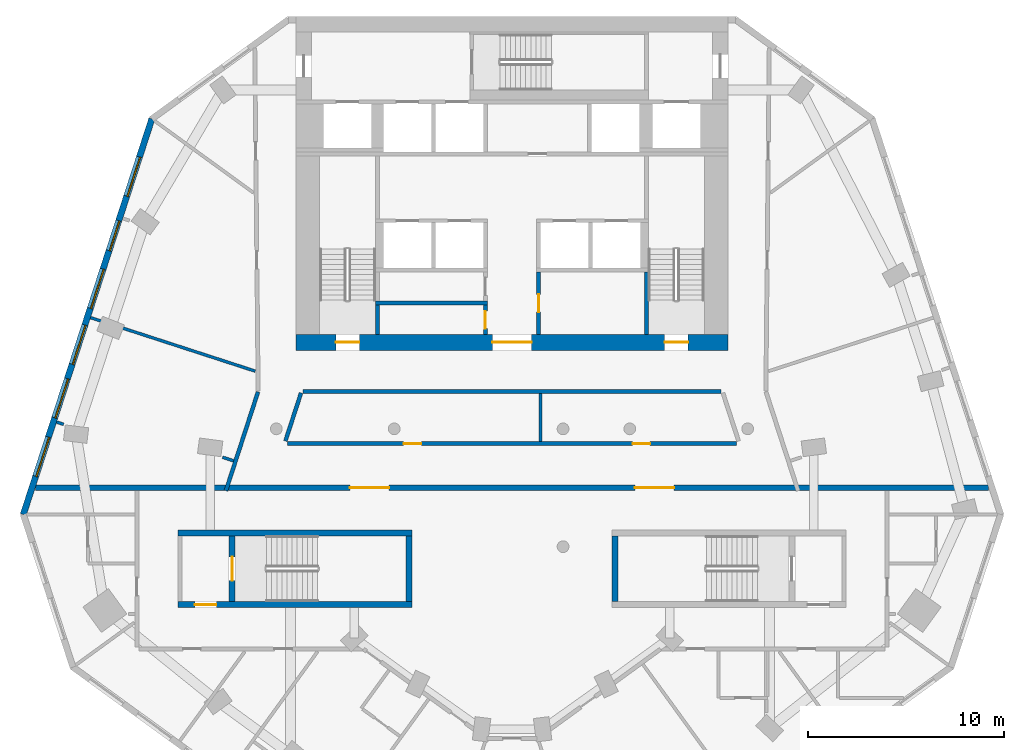
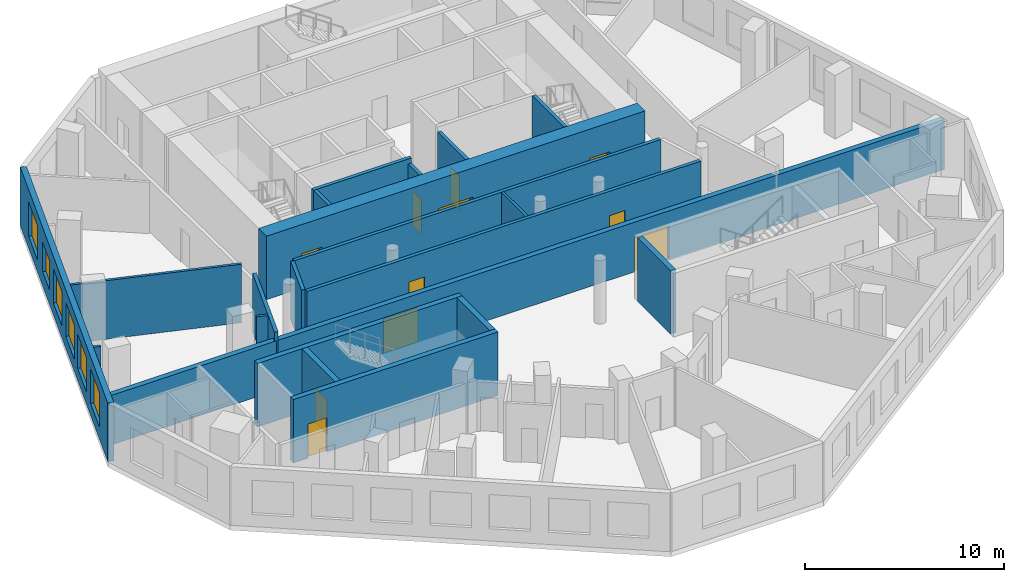
# One storey, part 3 of 9: 21 walls, 11 doors, 6 windows, 17 openings.
"""IFC4 building model written with IfcOpenShell, lengths in metres."""

from ifc_helpers import new_model, si_unit, direction, frame, frame_2d, origin, place, context, subcontext, project, spatial, rectangle, extrude, material, layer, layer_set, type_object, element, fill, save


model = new_model("IFC4")

# Units and contexts
model_context = context("Model", 3, precision=1e-05, world=origin(), true_north=direction((0.0, 1.0)))
body_context = subcontext(model_context, "Body", "Model", "MODEL_VIEW")
ifc_project = project(units=[si_unit("LENGTHUNIT", "METRE"), si_unit("AREAUNIT", "SQUARE_METRE"), si_unit("VOLUMEUNIT", "CUBIC_METRE"), si_unit("PLANEANGLEUNIT", "RADIAN"), si_unit("MASSUNIT", "GRAM", prefix="KILO")], contexts=[model_context])

# Site, building, storey
site_placement = place(None, origin())
site = spatial("IfcSite", under=ifc_project, at=site_placement, CompositionType="ELEMENT")
building_placement = place(site_placement, origin())
building = spatial("IfcBuilding", under=site, at=building_placement, Name="White Candle Pilgrim Tower", CompositionType="ELEMENT")
storey_placement = place(building_placement, frame((0.0, 0.0, 204.300048828125)))
storey = spatial("IfcBuildingStorey", under=building, at=storey_placement, Name="L47", CompositionType="ELEMENT", Elevation=204.300048828125)

# Wall
ifc_material_1 = material(Name="Gypsum board on steel studs", Category="steel")
ifc_layer_1 = layer(ifc_material_1, 0.199951171875)
ifc_layer_set_1 = layer_set([ifc_layer_1], Name="Corridor wall 200 mm EI 45")
wall_type_1 = type_object("IfcWallType", Name="Corridor wall 200 mm EI 45", PredefinedType="PARTITIONING", material=ifc_layer_set_1)
wall_1_placement = place(storey_placement, frame((55.43115234375, 63.85009765625, 0.0), z_axis=(0.0, 0.0, 1.0), x_axis=(0.309009941901, 0.951058807754, 0.0)))
element("IfcWall", 1, at=wall_1_placement, inside=storey, type_object=wall_type_1, Name="WL-L47-P002", PredefinedType="PARTITIONING", context=body_context, shape_type="SweptSolid", body=[
    extrude(rectangle(XDim=5.29345703125, YDim=0.199951171875, at=frame_2d((2.646728515625, 0.0))), origin(), (0.0, 0.0, 1.0), 3.599853515625),
])

# Wall, openings, doors
wall_2_placement = place(storey_placement, frame((58.556640625, 66.25, 0.0), z_axis=(0.0, 0.0, 1.0), x_axis=(1.0, 0.0, 0.0)))
wall_2 = element("IfcWall", 2, at=wall_2_placement, inside=storey, type_object=wall_type_1, Name="WL-L47-P013", PredefinedType="PARTITIONING", context=body_context, shape_type="SweptSolid", body=[
    extrude(rectangle(XDim=22.88671875, YDim=0.199951171875, at=frame_2d((11.443359375, 0.0))), origin(), (0.0, 0.0, 1.0), 3.599853515625),
])
opening_1_placement = place(wall_2_placement, frame((5.927001953125, 0.0, 0.0)))
opening_1 = element("IfcOpeningElement", 3, at=opening_1_placement, cuts=wall_2, Name="Opening T14-117", PredefinedType="OPENING", context=body_context, shape_type="SweptSolid", body=[
    extrude(rectangle(XDim=0.89990234375, YDim=2.10009765625, at=frame_2d((0.449951171875, 1.050048828125))), frame((0.0, 0.10986328125, 0.0), z_axis=(0.0, -1.0, 0.0), x_axis=(1.0, 0.0, 0.0)), (0.0, 0.0, 1.0), 0.219970703125),
])
opening_2_placement = place(wall_2_placement, frame((17.5830078125, 0.0, 0.0)))
opening_2 = element("IfcOpeningElement", 4, at=opening_2_placement, cuts=wall_2, Name="Opening T14-118", PredefinedType="OPENING", context=body_context, shape_type="SweptSolid", body=[
    extrude(rectangle(XDim=0.89990234375, YDim=2.10009765625, at=frame_2d((0.449951171875, 1.050048828125))), frame((0.0, 0.10986328125, 0.0), z_axis=(0.0, -1.0, 0.0), x_axis=(1.0, 0.0, 0.0)), (0.0, 0.0, 1.0), 0.219970703125),
])
ifc_material_2 = material(Name="Steel door leaf", Category="steel")
door_type_1 = type_object("IfcDoorType", Name="Fire door 900 x 2100 EI 30", OperationType="NOTDEFINED", PredefinedType="DOOR", material=ifc_material_2)
door_1_placement = place(opening_1_placement, origin())
door_1 = element("IfcDoor", 5, at=door_1_placement, inside=storey, type_object=door_type_1, Name="Door T14-117", OperationType="SINGLE_SWING_LEFT", OverallHeight=2.10009765625, OverallWidth=0.89990234375, PredefinedType="DOOR", context=body_context, shape_type="SweptSolid", body=[
    extrude(rectangle(XDim=0.89990234375, YDim=2.10009765625, at=frame_2d((0.449951171875, 1.050048828125))), frame((0.0, 0.02490234375, 0.0), z_axis=(0.0, -1.0, 0.0), x_axis=(1.0, 0.0, 0.0)), (0.0, 0.0, 1.0), 0.050048828125),
])
fill(opening_1, door_1)
door_2_placement = place(opening_2_placement, origin())
door_2 = element("IfcDoor", 6, at=door_2_placement, inside=storey, type_object=door_type_1, Name="Door T14-118", OperationType="SINGLE_SWING_RIGHT", OverallHeight=2.10009765625, OverallWidth=0.89990234375, PredefinedType="DOOR", context=body_context, shape_type="SweptSolid", body=[
    extrude(rectangle(XDim=0.89990234375, YDim=2.10009765625, at=frame_2d((0.449951171875, 1.050048828125))), frame((0.0, 0.02490234375, 0.0), z_axis=(0.0, -1.0, 0.0), x_axis=(1.0, 0.0, 0.0)), (0.0, 0.0, 1.0), 0.050048828125),
])
fill(opening_2, door_2)

# Walls
wall_3_placement = place(storey_placement, frame((80.647216796875, 68.89990234375, 0.0), z_axis=(0.0, 0.0, 1.0), x_axis=(-1.0, 0.0, 0.0)))
element("IfcWall", 7, at=wall_3_placement, inside=storey, type_object=wall_type_1, Name="WL-L47-P015", PredefinedType="PARTITIONING", context=body_context, shape_type="SweptSolid", body=[
    extrude(rectangle(XDim=21.29443359375, YDim=0.199951171875, at=frame_2d((10.647216796875, 0.0))), origin(), (0.0, 0.0, 1.0), 3.599853515625),
])
wall_4_placement = place(storey_placement, frame((59.2578125, 68.830810546875, 0.0), z_axis=(0.0, 0.0, 1.0), x_axis=(-0.309053927645, -0.951044515155, 0.0)))
element("IfcWall", 8, at=wall_4_placement, inside=storey, type_object=wall_type_1, Name="WL-L47-P016", PredefinedType="PARTITIONING", context=body_context, shape_type="SweptSolid", body=[
    extrude(rectangle(XDim=2.576171875, YDim=0.199951171875, at=frame_2d((1.2880859375, 0.0))), origin(), (0.0, 0.0, 1.0), 3.599853515625),
])

# Wall, openings, windows
ifc_material_3 = material(Name="Precast concrete C40/50", Category="concrete")
ifc_layer_2 = layer(ifc_material_3, 0.320068359375)
ifc_layer_set_2 = layer_set([ifc_layer_2], Name="Facade wall EW1 precast concrete C40/50 pier wall with timber-lined reveals")
wall_type_2 = type_object("IfcWallType", Name="Facade wall EW1 precast concrete C40/50 pier wall with timber-lined reveals", PredefinedType="SOLIDWALL", material=ifc_layer_set_2)
wall_5_placement = place(storey_placement, frame((51.657958984375, 82.785400390625, 0.0), z_axis=(0.0, 0.0, 1.0), x_axis=(-0.309019087741, -0.951055836117, 0.0)))
wall_5 = element("IfcWall", 9, at=wall_5_placement, inside=storey, type_object=wall_type_2, Name="Facade wall L47 WNW", PredefinedType="SOLIDWALL", context=body_context, shape_type="SweptSolid", body=[
    extrude(rectangle(XDim=21.180419921875, YDim=0.320068359375, at=frame_2d((10.59033203125, 0.0))), origin(), (0.0, 0.0, 1.0), 3.599853515625),
])
opening_3_placement = place(wall_5_placement, frame((2.040283203125, 0.0, 0.75)))
opening_3 = element("IfcOpeningElement", 10, at=opening_3_placement, cuts=wall_5, Name="Opening W3", PredefinedType="OPENING", context=body_context, shape_type="SweptSolid", body=[
    extrude(rectangle(XDim=2.10009765625, YDim=2.10009765625, at=frame_2d((1.050048828125, 1.050048828125))), frame((0.0, 0.169921875, 0.0), z_axis=(0.0, -1.0, 0.0), x_axis=(1.0, 0.0, 0.0)), (0.0, 0.0, 1.0), 0.340087890625),
])
opening_4_placement = place(wall_5_placement, frame((5.452880859375, 0.0, 0.89990234375)))
opening_4 = element("IfcOpeningElement", 11, at=opening_4_placement, cuts=wall_5, Name="Opening W2", PredefinedType="OPENING", context=body_context, shape_type="SweptSolid", body=[
    extrude(rectangle(XDim=1.60009765625, YDim=1.800048828125, at=frame_2d((0.800048828125, 0.89990234375))), frame((0.0, 0.169921875, 0.0), z_axis=(0.0, -1.0, 0.0), x_axis=(1.0, 0.0, 0.0)), (0.0, 0.0, 1.0), 0.340087890625),
])
opening_5_placement = place(wall_5_placement, frame((8.040283203125, 0.0, 0.75)))
opening_5 = element("IfcOpeningElement", 12, at=opening_5_placement, cuts=wall_5, Name="Opening W3", PredefinedType="OPENING", context=body_context, shape_type="SweptSolid", body=[
    extrude(rectangle(XDim=2.10009765625, YDim=2.10009765625, at=frame_2d((1.050048828125, 1.050048828125))), frame((0.0, 0.169921875, 0.0), z_axis=(0.0, -1.0, 0.0), x_axis=(1.0, 0.0, 0.0)), (0.0, 0.0, 1.0), 0.340087890625),
])
opening_6_placement = place(wall_5_placement, frame((11.040283203125, 0.0, 0.75)))
opening_6 = element("IfcOpeningElement", 13, at=opening_6_placement, cuts=wall_5, Name="Opening W3", PredefinedType="OPENING", context=body_context, shape_type="SweptSolid", body=[
    extrude(rectangle(XDim=2.10009765625, YDim=2.10009765625, at=frame_2d((1.050048828125, 1.050048828125))), frame((0.0, 0.169921875, 0.0), z_axis=(0.0, -1.0, 0.0), x_axis=(1.0, 0.0, 0.0)), (0.0, 0.0, 1.0), 0.340087890625),
])
opening_7_placement = place(wall_5_placement, frame((13.908203125, 0.0, 0.75)))
opening_7 = element("IfcOpeningElement", 14, at=opening_7_placement, cuts=wall_5, Name="Opening W3", PredefinedType="OPENING", context=body_context, shape_type="SweptSolid", body=[
    extrude(rectangle(XDim=2.10009765625, YDim=2.10009765625, at=frame_2d((1.050048828125, 1.050048828125))), frame((0.0, 0.169921875, 0.0), z_axis=(0.0, -1.0, 0.0), x_axis=(1.0, 0.0, 0.0)), (0.0, 0.0, 1.0), 0.340087890625),
])
opening_8_placement = place(wall_5_placement, frame((17.040283203125, 0.0, 0.75)))
opening_8 = element("IfcOpeningElement", 15, at=opening_8_placement, cuts=wall_5, Name="Opening W3", PredefinedType="OPENING", context=body_context, shape_type="SweptSolid", body=[
    extrude(rectangle(XDim=2.10009765625, YDim=2.10009765625, at=frame_2d((1.050048828125, 1.050048828125))), frame((0.0, 0.169921875, 0.0), z_axis=(0.0, -1.0, 0.0), x_axis=(1.0, 0.0, 0.0)), (0.0, 0.0, 1.0), 0.340087890625),
])
ifc_material_4 = material(Name="Timber frame with triple glazing", Category="wood")
window_type_1 = type_object("IfcWindowType", Name="Window W2 1600x1800 timber frame triple glazing", PartitioningType="SINGLE_PANEL", PredefinedType="WINDOW", material=ifc_material_4)
window_1_placement = place(opening_4_placement, origin())
window_1 = element("IfcWindow", 16, at=window_1_placement, inside=storey, type_object=window_type_1, Name="Window W2 L47 WNW 2", OverallHeight=1.800048828125, OverallWidth=1.60009765625, PartitioningType="SINGLE_PANEL", PredefinedType="WINDOW", context=body_context, shape_type="SweptSolid", body=[
    extrude(rectangle(XDim=1.60009765625, YDim=1.800048828125, at=frame_2d((0.800048828125, 0.89990234375))), frame((0.0, 0.070068359375, 0.0), z_axis=(0.0, -1.0, 0.0), x_axis=(1.0, 0.0, 0.0)), (0.0, 0.0, 1.0), 0.06005859375),
])
fill(opening_4, window_1)
window_type_2 = type_object("IfcWindowType", Name="Window W3 2100x2100 timber frame triple glazing", PartitioningType="SINGLE_PANEL", PredefinedType="WINDOW", material=ifc_material_4)
window_2_placement = place(opening_3_placement, origin())
window_2 = element("IfcWindow", 17, at=window_2_placement, inside=storey, type_object=window_type_2, Name="Window W3 L47 WNW 1", OverallHeight=2.10009765625, OverallWidth=2.10009765625, PartitioningType="SINGLE_PANEL", PredefinedType="WINDOW", context=body_context, shape_type="SweptSolid", body=[
    extrude(rectangle(XDim=2.10009765625, YDim=2.10009765625, at=frame_2d((1.050048828125, 1.050048828125))), frame((0.0, 0.070068359375, 0.0), z_axis=(0.0, -1.0, 0.0), x_axis=(1.0, 0.0, 0.0)), (0.0, 0.0, 1.0), 0.06005859375),
])
fill(opening_3, window_2)
window_3_placement = place(opening_5_placement, origin())
window_3 = element("IfcWindow", 18, at=window_3_placement, inside=storey, type_object=window_type_2, Name="Window W3 L47 WNW 3", OverallHeight=2.10009765625, OverallWidth=2.10009765625, PartitioningType="SINGLE_PANEL", PredefinedType="WINDOW", context=body_context, shape_type="SweptSolid", body=[
    extrude(rectangle(XDim=2.10009765625, YDim=2.10009765625, at=frame_2d((1.050048828125, 1.050048828125))), frame((0.0, 0.070068359375, 0.0), z_axis=(0.0, -1.0, 0.0), x_axis=(1.0, 0.0, 0.0)), (0.0, 0.0, 1.0), 0.06005859375),
])
fill(opening_5, window_3)
window_4_placement = place(opening_6_placement, origin())
window_4 = element("IfcWindow", 19, at=window_4_placement, inside=storey, type_object=window_type_2, Name="Window W3 L47 WNW 4", OverallHeight=2.10009765625, OverallWidth=2.10009765625, PartitioningType="SINGLE_PANEL", PredefinedType="WINDOW", context=body_context, shape_type="SweptSolid", body=[
    extrude(rectangle(XDim=2.10009765625, YDim=2.10009765625, at=frame_2d((1.050048828125, 1.050048828125))), frame((0.0, 0.070068359375, 0.0), z_axis=(0.0, -1.0, 0.0), x_axis=(1.0, 0.0, 0.0)), (0.0, 0.0, 1.0), 0.06005859375),
])
fill(opening_6, window_4)
window_5_placement = place(opening_7_placement, origin())
window_5 = element("IfcWindow", 20, at=window_5_placement, inside=storey, type_object=window_type_2, Name="Window W3 L47 WNW 5", OverallHeight=2.10009765625, OverallWidth=2.10009765625, PartitioningType="SINGLE_PANEL", PredefinedType="WINDOW", context=body_context, shape_type="SweptSolid", body=[
    extrude(rectangle(XDim=2.10009765625, YDim=2.10009765625, at=frame_2d((1.050048828125, 1.050048828125))), frame((0.0, 0.070068359375, 0.0), z_axis=(0.0, -1.0, 0.0), x_axis=(1.0, 0.0, 0.0)), (0.0, 0.0, 1.0), 0.06005859375),
])
fill(opening_7, window_5)
window_6_placement = place(opening_8_placement, origin())
window_6 = element("IfcWindow", 21, at=window_6_placement, inside=storey, type_object=window_type_2, Name="Window W3 L47 WNW 6", OverallHeight=2.10009765625, OverallWidth=2.10009765625, PartitioningType="SINGLE_PANEL", PredefinedType="WINDOW", context=body_context, shape_type="SweptSolid", body=[
    extrude(rectangle(XDim=2.10009765625, YDim=2.10009765625, at=frame_2d((1.050048828125, 1.050048828125))), frame((0.0, 0.070068359375, 0.0), z_axis=(0.0, -1.0, 0.0), x_axis=(1.0, 0.0, 0.0)), (0.0, 0.0, 1.0), 0.06005859375),
])
fill(opening_8, window_6)

# Wall, openings, doors
ifc_material_5 = material(Name="Aerated concrete block", Category="concrete")
ifc_layer_3 = layer(ifc_material_5, 0.300048828125)
ifc_layer_set_3 = layer_set([ifc_layer_3], Name="Fire wall 300 mm REI 240")
wall_type_3 = type_object("IfcWallType", Name="Fire wall 300 mm REI 240", PredefinedType="PARTITIONING", material=ifc_layer_set_3)
wall_6_placement = place(storey_placement, frame((45.722412109375, 64.0, 0.0), z_axis=(0.0, 0.0, 1.0), x_axis=(1.0, 0.0, 0.0)))
wall_6 = element("IfcWall", 22, at=wall_6_placement, inside=storey, type_object=wall_type_3, Name="WL-L47-P001", PredefinedType="PARTITIONING", context=body_context, shape_type="SweptSolid", body=[
    extrude(rectangle(XDim=48.55517578125, YDim=0.300048828125, at=frame_2d((24.277587890625, 0.0))), origin(), (0.0, 0.0, 1.0), 3.050048828125),
])
opening_9_placement = place(wall_6_placement, frame((16.017578125, 0.0, 0.0)))
opening_9 = element("IfcOpeningElement", 23, at=opening_9_placement, cuts=wall_6, Name="Opening T14-115", PredefinedType="OPENING", context=body_context, shape_type="SweptSolid", body=[
    extrude(rectangle(XDim=2.0, YDim=2.10009765625, at=frame_2d((1.0, 1.050048828125))), frame((0.0, 0.159912109375, 0.0), z_axis=(0.0, -1.0, 0.0), x_axis=(1.0, 0.0, 0.0)), (0.0, 0.0, 1.0), 0.320068359375),
])
opening_10_placement = place(wall_6_placement, frame((30.53759765625, 0.0, 0.0)))
opening_10 = element("IfcOpeningElement", 24, at=opening_10_placement, cuts=wall_6, Name="Opening T14-116", PredefinedType="OPENING", context=body_context, shape_type="SweptSolid", body=[
    extrude(rectangle(XDim=2.0, YDim=2.10009765625, at=frame_2d((1.0, 1.050048828125))), frame((0.0, 0.159912109375, 0.0), z_axis=(0.0, -1.0, 0.0), x_axis=(1.0, 0.0, 0.0)), (0.0, 0.0, 1.0), 0.320068359375),
])
door_type_2 = type_object("IfcDoorType", Name="Fire door 2000 x 2100 EI 60", OperationType="NOTDEFINED", PredefinedType="DOOR", material=ifc_material_2)
door_3_placement = place(opening_9_placement, origin())
door_3 = element("IfcDoor", 25, at=door_3_placement, inside=storey, type_object=door_type_2, Name="Door T14-115", OperationType="DOUBLE_DOOR_SINGLE_SWING", OverallHeight=2.10009765625, OverallWidth=2.0, PredefinedType="DOOR", context=body_context, shape_type="SweptSolid", body=[
    extrude(rectangle(XDim=2.0, YDim=2.10009765625, at=frame_2d((1.0, 1.050048828125))), frame((0.0, 0.02490234375, 0.0), z_axis=(0.0, -1.0, 0.0), x_axis=(1.0, 0.0, 0.0)), (0.0, 0.0, 1.0), 0.050048828125),
])
fill(opening_9, door_3)
door_4_placement = place(opening_10_placement, origin())
door_4 = element("IfcDoor", 26, at=door_4_placement, inside=storey, type_object=door_type_2, Name="Door T14-116", OperationType="DOUBLE_DOOR_SINGLE_SWING", OverallHeight=2.10009765625, OverallWidth=2.0, PredefinedType="DOOR", context=body_context, shape_type="SweptSolid", body=[
    extrude(rectangle(XDim=2.0, YDim=2.10009765625, at=frame_2d((1.0, 1.050048828125))), frame((0.0, 0.02490234375, 0.0), z_axis=(0.0, -1.0, 0.0), x_axis=(1.0, 0.0, 0.0)), (0.0, 0.0, 1.0), 0.050048828125),
])
fill(opening_10, door_4)

# Wall, opening, door
ifc_layer_4 = layer(ifc_material_1, 0.199951171875)
ifc_layer_set_4 = layer_set([ifc_layer_4], Name="Lobby wall 200 mm EI 60")
wall_type_4 = type_object("IfcWallType", Name="Lobby wall 200 mm EI 60", PredefinedType="PARTITIONING", material=ifc_layer_set_4)
wall_7_placement = place(storey_placement, frame((68.64990234375, 71.800048828125, 0.0), z_axis=(0.0, 0.0, 1.0), x_axis=(0.0, 1.0, 0.0)))
wall_7 = element("IfcWall", 27, at=wall_7_placement, inside=storey, type_object=wall_type_4, Name="WL-L47-C14", PredefinedType="PARTITIONING", context=body_context, shape_type="SweptSolid", body=[
    extrude(rectangle(XDim=1.5, YDim=0.199951171875, at=frame_2d((0.75, 0.0))), origin(), (0.0, 0.0, 1.0), 3.599853515625),
])
opening_11_placement = place(wall_7_placement, frame((0.300048828125, 0.0, 0.0)))
opening_11 = element("IfcOpeningElement", 28, at=opening_11_placement, cuts=wall_7, Name="Opening T14-005", PredefinedType="OPENING", context=body_context, shape_type="SweptSolid", body=[
    extrude(rectangle(XDim=0.89990234375, YDim=2.10009765625, at=frame_2d((0.449951171875, 1.050048828125))), frame((0.0, 0.10986328125, 0.0), z_axis=(0.0, -1.0, 0.0), x_axis=(1.0, 0.0, 0.0)), (0.0, 0.0, 1.0), 0.219970703125),
])
door_5_placement = place(opening_11_placement, origin())
door_5 = element("IfcDoor", 29, at=door_5_placement, inside=storey, type_object=door_type_1, Name="Door T14-005", OperationType="SINGLE_SWING_LEFT", OverallHeight=2.10009765625, OverallWidth=0.89990234375, PredefinedType="DOOR", context=body_context, shape_type="SweptSolid", body=[
    extrude(rectangle(XDim=0.89990234375, YDim=2.10009765625, at=frame_2d((0.449951171875, 1.050048828125))), frame((0.0, 0.02490234375, 0.0), z_axis=(0.0, -1.0, 0.0), x_axis=(1.0, 0.0, 0.0)), (0.0, 0.0, 1.0), 0.050048828125),
])
fill(opening_11, door_5)

wall_8_placement = place(storey_placement, frame((71.35009765625, 71.800048828125, 0.0), z_axis=(0.0, 0.0, 1.0), x_axis=(0.0, 1.0, 0.0)))
wall_8 = element("IfcWall", 30, at=wall_8_placement, inside=storey, type_object=wall_type_4, Name="WL-L47-C15", PredefinedType="PARTITIONING", context=body_context, shape_type="SweptSolid", body=[
    extrude(rectangle(XDim=3.199951171875, YDim=0.199951171875, at=frame_2d((1.60009765625, 0.0))), origin(), (0.0, 0.0, 1.0), 3.599853515625),
])
opening_12_placement = place(wall_8_placement, frame((1.14990234375, 0.0, 0.0)))
opening_12 = element("IfcOpeningElement", 31, at=opening_12_placement, cuts=wall_8, Name="Opening T14-007", PredefinedType="OPENING", context=body_context, shape_type="SweptSolid", body=[
    extrude(rectangle(XDim=0.89990234375, YDim=2.10009765625, at=frame_2d((0.449951171875, 1.050048828125))), frame((0.0, 0.10986328125, 0.0), z_axis=(0.0, -1.0, 0.0), x_axis=(1.0, 0.0, 0.0)), (0.0, 0.0, 1.0), 0.219970703125),
])
door_6_placement = place(opening_12_placement, origin())
door_6 = element("IfcDoor", 32, at=door_6_placement, inside=storey, type_object=door_type_1, Name="Door T14-007", OperationType="SINGLE_SWING_LEFT", OverallHeight=2.10009765625, OverallWidth=0.89990234375, PredefinedType="DOOR", context=body_context, shape_type="SweptSolid", body=[
    extrude(rectangle(XDim=0.89990234375, YDim=2.10009765625, at=frame_2d((0.449951171875, 1.050048828125))), frame((0.0, 0.02490234375, 0.0), z_axis=(0.0, -1.0, 0.0), x_axis=(1.0, 0.0, 0.0)), (0.0, 0.0, 1.0), 0.050048828125),
])
fill(opening_12, door_6)

# Walls
ifc_layer_5 = layer(ifc_material_1, 0.14990234375)
ifc_layer_set_5 = layer_set([ifc_layer_5], Name="Partition 150 mm EI 60")
wall_type_5 = type_object("IfcWallType", Name="Partition 150 mm EI 60", PredefinedType="PARTITIONING", material=ifc_layer_set_5)
wall_9_placement = place(storey_placement, frame((48.53759765625, 72.6640625, 0.0), z_axis=(0.0, 0.0, 1.0), x_axis=(0.951054829907, -0.309022184495, 0.0)))
element("IfcWall", 33, at=wall_9_placement, inside=storey, type_object=wall_type_5, Name="WL-L47-P025", PredefinedType="PARTITIONING", context=body_context, shape_type="SweptSolid", body=[
    extrude(rectangle(XDim=8.813720703125, YDim=0.14990234375, at=frame_2d((4.40673828125, 0.0))), origin(), (0.0, 0.0, 1.0), 3.599853515625),
])
wall_10_placement = place(storey_placement, frame((71.4482421875, 66.35009765625, 0.0), z_axis=(0.0, 0.0, 1.0), x_axis=(0.0, 1.0, 0.0)))
element("IfcWall", 34, at=wall_10_placement, inside=storey, type_object=wall_type_5, Name="WL-L47-P043", PredefinedType="PARTITIONING", context=body_context, shape_type="SweptSolid", body=[
    extrude(rectangle(XDim=2.449951171875, YDim=0.14990234375, at=frame_2d((1.22509765625, 0.0))), origin(), (0.0, 0.0, 1.0), 3.599853515625),
])
wall_11_placement = place(storey_placement, frame((47.167724609375, 67.228271484375, 0.0), z_axis=(0.0, 0.0, 1.0), x_axis=(-0.95111492259, 0.308837180446, 0.0)))
element("IfcWall", 35, at=wall_11_placement, inside=storey, type_object=wall_type_5, Name="WL-L47-P052", PredefinedType="PARTITIONING", context=body_context, shape_type="SweptSolid", body=[
    extrude(rectangle(XDim=0.377197265625, YDim=0.14990234375, at=frame_2d((0.1884765625, 0.0))), origin(), (0.0, 0.0, 1.0), 3.599853515625),
])
wall_12_placement = place(storey_placement, frame((55.2568359375, 65.55517578125, 0.0), z_axis=(0.0, 0.0, 1.0), x_axis=(0.9510855144, -0.308927733131, 0.0)))
element("IfcWall", 36, at=wall_12_placement, inside=storey, type_object=wall_type_5, Name="WL-L47-P054", PredefinedType="PARTITIONING", context=body_context, shape_type="SweptSolid", body=[
    extrude(rectangle(XDim=0.5927734375, YDim=0.14990234375, at=frame_2d((0.29638671875, 0.0))), origin(), (0.0, 0.0, 1.0), 3.599853515625),
])
ifc_material_6 = material(Name="Concrete C50/60", Category="concrete")
ifc_layer_6 = layer(ifc_material_6, 0.199951171875)
ifc_layer_set_6 = layer_set([ifc_layer_6], Name="Stair shaft wall 200 mm Concrete C50/60")
wall_type_6 = type_object("IfcWallType", Name="Stair shaft wall 200 mm Concrete C50/60", PredefinedType="SHEAR", material=ifc_layer_set_6)
wall_13_placement = place(storey_placement, frame((63.14990234375, 71.800048828125, 0.0), z_axis=(0.0, 0.0, 1.0), x_axis=(0.0, 1.0, 0.0)))
element("IfcWall", 37, at=wall_13_placement, inside=storey, type_object=wall_type_6, Name="WL-L47-C13", PredefinedType="SHEAR", context=body_context, shape_type="SweptSolid", body=[
    extrude(rectangle(XDim=1.5, YDim=0.199951171875, at=frame_2d((0.75, 0.0))), origin(), (0.0, 0.0, 1.0), 3.89990234375),
])
wall_14_placement = place(storey_placement, frame((76.85009765625, 71.800048828125, 0.0), z_axis=(0.0, 0.0, 1.0), x_axis=(0.0, 1.0, 0.0)))
element("IfcWall", 38, at=wall_14_placement, inside=storey, type_object=wall_type_6, Name="WL-L47-C16", PredefinedType="SHEAR", context=body_context, shape_type="SweptSolid", body=[
    extrude(rectangle(XDim=3.199951171875, YDim=0.199951171875, at=frame_2d((1.60009765625, 0.0))), origin(), (0.0, 0.0, 1.0), 3.89990234375),
])
wall_15_placement = place(storey_placement, frame((63.050048828125, 73.39990234375, 0.0), z_axis=(0.0, 0.0, 1.0), x_axis=(1.0, 0.0, 0.0)))
element("IfcWall", 39, at=wall_15_placement, inside=storey, type_object=wall_type_6, Name="WL-L47-C18", PredefinedType="SHEAR", context=body_context, shape_type="SweptSolid", body=[
    extrude(rectangle(XDim=5.699951171875, YDim=0.199951171875, at=frame_2d((2.85009765625, 0.0))), origin(), (0.0, 0.0, 1.0), 3.89990234375),
])

# Wall, opening, door
ifc_layer_7 = layer(ifc_material_6, 0.300048828125)
ifc_layer_set_7 = layer_set([ifc_layer_7], Name="Stair shaft wall 300 mm Concrete C50/60")
wall_type_7 = type_object("IfcWallType", Name="Stair shaft wall 300 mm Concrete C50/60", PredefinedType="SHEAR", material=ifc_layer_set_7)
wall_16_placement = place(storey_placement, frame((53.0, 58.050048828125, 0.0), z_axis=(0.0, 0.0, 1.0), x_axis=(1.0, 0.0, 0.0)))
wall_16 = element("IfcWall", 40, at=wall_16_placement, inside=storey, type_object=wall_type_7, Name="WL-L47-C01", PredefinedType="SHEAR", context=body_context, shape_type="SweptSolid", body=[
    extrude(rectangle(XDim=11.89990234375, YDim=0.300048828125, at=frame_2d((5.949951171875, 0.0))), origin(), (0.0, 0.0, 1.0), 3.89990234375),
])
opening_13_placement = place(wall_16_placement, frame((0.85009765625, 0.0, 0.0)))
opening_13 = element("IfcOpeningElement", 41, at=opening_13_placement, cuts=wall_16, Name="Opening T14-010", PredefinedType="OPENING", context=body_context, shape_type="SweptSolid", body=[
    extrude(rectangle(XDim=1.10009765625, YDim=2.10009765625, at=frame_2d((0.550048828125, 1.050048828125))), frame((0.0, 0.159912109375, 0.0), z_axis=(0.0, -1.0, 0.0), x_axis=(1.0, 0.0, 0.0)), (0.0, 0.0, 1.0), 0.320068359375),
])
door_type_3 = type_object("IfcDoorType", Name="Fire door 1100 x 2100 EI 60", OperationType="NOTDEFINED", PredefinedType="DOOR", material=ifc_material_2)
door_7_placement = place(opening_13_placement, origin())
door_7 = element("IfcDoor", 42, at=door_7_placement, inside=storey, type_object=door_type_3, Name="Door T14-010", OperationType="SINGLE_SWING_RIGHT", OverallHeight=2.10009765625, OverallWidth=1.10009765625, PredefinedType="DOOR", context=body_context, shape_type="SweptSolid", body=[
    extrude(rectangle(XDim=1.10009765625, YDim=2.10009765625, at=frame_2d((0.550048828125, 1.050048828125))), frame((0.0, 0.02490234375, 0.0), z_axis=(0.0, -1.0, 0.0), x_axis=(1.0, 0.0, 0.0)), (0.0, 0.0, 1.0), 0.050048828125),
])
fill(opening_13, door_7)

wall_17_placement = place(storey_placement, frame((55.75, 58.199951171875, 0.0), z_axis=(0.0, 0.0, 1.0), x_axis=(0.0, 1.0, 0.0)))
wall_17 = element("IfcWall", 43, at=wall_17_placement, inside=storey, type_object=wall_type_7, Name="WL-L47-C04", PredefinedType="SHEAR", context=body_context, shape_type="SweptSolid", body=[
    extrude(rectangle(XDim=3.35009765625, YDim=0.300048828125, at=frame_2d((1.675048828125, 0.0))), origin(), (0.0, 0.0, 1.0), 3.89990234375),
])
opening_14_placement = place(wall_17_placement, frame((1.074951171875, 0.0, 0.0)))
opening_14 = element("IfcOpeningElement", 44, at=opening_14_placement, cuts=wall_17, Name="Opening T14-011", PredefinedType="OPENING", context=body_context, shape_type="SweptSolid", body=[
    extrude(rectangle(XDim=1.199951171875, YDim=2.10009765625, at=frame_2d((0.60009765625, 1.050048828125))), frame((0.0, 0.159912109375, 0.0), z_axis=(0.0, -1.0, 0.0), x_axis=(1.0, 0.0, 0.0)), (0.0, 0.0, 1.0), 0.320068359375),
])
door_type_4 = type_object("IfcDoorType", Name="Fire door 1200 x 2100 EI 60", OperationType="NOTDEFINED", PredefinedType="DOOR", material=ifc_material_2)
door_8_placement = place(opening_14_placement, frame((1.199951171875, 0.0, 0.0), z_axis=(0.0, 0.0, 1.0), x_axis=(-1.0, 0.0, 0.0)))
door_8 = element("IfcDoor", 45, at=door_8_placement, inside=storey, type_object=door_type_4, Name="Door T14-011", OperationType="SINGLE_SWING_RIGHT", OverallHeight=2.10009765625, OverallWidth=1.199951171875, PredefinedType="DOOR", context=body_context, shape_type="SweptSolid", body=[
    extrude(rectangle(XDim=1.199951171875, YDim=2.10009765625, at=frame_2d((0.60009765625, 1.050048828125))), frame((0.0, 0.02490234375, 0.0), z_axis=(0.0, -1.0, 0.0), x_axis=(1.0, 0.0, 0.0)), (0.0, 0.0, 1.0), 0.050048828125),
])
fill(opening_14, door_8)

# Walls
for number, where, z_axis, x_axis, name in (
    (46, (64.75, 58.199951171875, 0.0), (0.0, 0.0, 1.0), (0.0, 1.0, 0.0), "WL-L47-C05"),
    (47, (75.25, 58.199951171875, 0.0), (0.0, 0.0, 1.0), (0.0, 1.0, 0.0), "WL-L47-C06"),
):
    element("IfcWall", number, at=place(storey_placement, frame(where, z_axis=z_axis, x_axis=x_axis)), inside=storey, type_object=wall_type_7, Name=name, PredefinedType="SHEAR", context=body_context, shape_type="SweptSolid", body=[
        extrude(rectangle(XDim=3.35009765625, YDim=0.300048828125, at=frame_2d((1.675048828125, 0.0))), origin(), (0.0, 0.0, 1.0), 3.89990234375),
    ])
wall_18_placement = place(storey_placement, frame((53.0, 61.699951171875, 0.0), z_axis=(0.0, 0.0, 1.0), x_axis=(1.0, 0.0, 0.0)))
element("IfcWall", 48, at=wall_18_placement, inside=storey, type_object=wall_type_7, Name="WL-L47-C09", PredefinedType="SHEAR", context=body_context, shape_type="SweptSolid", body=[
    extrude(rectangle(XDim=11.89990234375, YDim=0.300048828125, at=frame_2d((5.949951171875, 0.0))), origin(), (0.0, 0.0, 1.0), 3.89990234375),
])

# Wall, openings, doors
ifc_layer_8 = layer(ifc_material_6, 0.800048828125)
ifc_layer_set_8 = layer_set([ifc_layer_8], Name="Stair shaft wall 800 mm Concrete C50/60")
wall_type_8 = type_object("IfcWallType", Name="Stair shaft wall 800 mm Concrete C50/60", PredefinedType="SHEAR", material=ifc_layer_set_8)
wall_19_placement = place(storey_placement, frame((59.0, 71.39990234375, 0.0), z_axis=(0.0, 0.0, 1.0), x_axis=(1.0, 0.0, 0.0)))
wall_19 = element("IfcWall", 49, at=wall_19_placement, inside=storey, type_object=wall_type_8, Name="WL-L47-C11", PredefinedType="SHEAR", context=body_context, shape_type="SweptSolid", body=[
    extrude(rectangle(XDim=22.0, YDim=0.800048828125, at=frame_2d((11.0, 0.0))), origin(), (0.0, 0.0, 1.0), 3.89990234375),
])
opening_15_placement = place(wall_19_placement, frame((2.02490234375, 0.0, 0.0)))
opening_15 = element("IfcOpeningElement", 50, at=opening_15_placement, cuts=wall_19, Name="Opening T14-001", PredefinedType="OPENING", context=body_context, shape_type="SweptSolid", body=[
    extrude(rectangle(XDim=1.199951171875, YDim=2.10009765625, at=frame_2d((0.60009765625, 1.050048828125))), frame((0.0, 0.409912109375, 0.0), z_axis=(0.0, -1.0, 0.0), x_axis=(1.0, 0.0, 0.0)), (0.0, 0.0, 1.0), 0.820068359375),
])
opening_16_placement = place(wall_19_placement, frame((18.77490234375, 0.0, 0.0)))
opening_16 = element("IfcOpeningElement", 51, at=opening_16_placement, cuts=wall_19, Name="Opening T14-002", PredefinedType="OPENING", context=body_context, shape_type="SweptSolid", body=[
    extrude(rectangle(XDim=1.199951171875, YDim=2.10009765625, at=frame_2d((0.60009765625, 1.050048828125))), frame((0.0, 0.409912109375, 0.0), z_axis=(0.0, -1.0, 0.0), x_axis=(1.0, 0.0, 0.0)), (0.0, 0.0, 1.0), 0.820068359375),
])
opening_17_placement = place(wall_19_placement, frame((10.0, 0.0, 0.0)))
opening_17 = element("IfcOpeningElement", 52, at=opening_17_placement, cuts=wall_19, Name="Opening T14-004", PredefinedType="OPENING", context=body_context, shape_type="SweptSolid", body=[
    extrude(rectangle(XDim=2.0, YDim=2.10009765625, at=frame_2d((1.0, 1.050048828125))), frame((0.0, 0.409912109375, 0.0), z_axis=(0.0, -1.0, 0.0), x_axis=(1.0, 0.0, 0.0)), (0.0, 0.0, 1.0), 0.820068359375),
])
door_9_placement = place(opening_15_placement, frame((1.199951171875, 0.0, 0.0), z_axis=(0.0, 0.0, 1.0), x_axis=(-1.0, 0.0, 0.0)))
door_9 = element("IfcDoor", 53, at=door_9_placement, inside=storey, type_object=door_type_4, Name="Door T14-001", OperationType="SINGLE_SWING_RIGHT", OverallHeight=2.10009765625, OverallWidth=1.199951171875, PredefinedType="DOOR", context=body_context, shape_type="SweptSolid", body=[
    extrude(rectangle(XDim=1.199951171875, YDim=2.10009765625, at=frame_2d((0.60009765625, 1.050048828125))), frame((0.0, 0.02490234375, 0.0), z_axis=(0.0, -1.0, 0.0), x_axis=(1.0, 0.0, 0.0)), (0.0, 0.0, 1.0), 0.050048828125),
])
fill(opening_15, door_9)
door_10_placement = place(opening_16_placement, frame((1.199951171875, 0.0, 0.0), z_axis=(0.0, 0.0, 1.0), x_axis=(-1.0, 0.0, 0.0)))
door_10 = element("IfcDoor", 54, at=door_10_placement, inside=storey, type_object=door_type_4, Name="Door T14-002", OperationType="SINGLE_SWING_LEFT", OverallHeight=2.10009765625, OverallWidth=1.199951171875, PredefinedType="DOOR", context=body_context, shape_type="SweptSolid", body=[
    extrude(rectangle(XDim=1.199951171875, YDim=2.10009765625, at=frame_2d((0.60009765625, 1.050048828125))), frame((0.0, 0.02490234375, 0.0), z_axis=(0.0, -1.0, 0.0), x_axis=(1.0, 0.0, 0.0)), (0.0, 0.0, 1.0), 0.050048828125),
])
fill(opening_16, door_10)
door_11_placement = place(opening_17_placement, frame((2.0, 0.0, 0.0), z_axis=(0.0, 0.0, 1.0), x_axis=(-1.0, 0.0, 0.0)))
door_11 = element("IfcDoor", 55, at=door_11_placement, inside=storey, type_object=door_type_2, Name="Door T14-004", OperationType="DOUBLE_DOOR_SINGLE_SWING", OverallHeight=2.10009765625, OverallWidth=2.0, PredefinedType="DOOR", context=body_context, shape_type="SweptSolid", body=[
    extrude(rectangle(XDim=2.0, YDim=2.10009765625, at=frame_2d((1.0, 1.050048828125))), frame((0.0, 0.02490234375, 0.0), z_axis=(0.0, -1.0, 0.0), x_axis=(1.0, 0.0, 0.0)), (0.0, 0.0, 1.0), 0.050048828125),
])
fill(opening_17, door_11)

save(model, "model.ifc")
